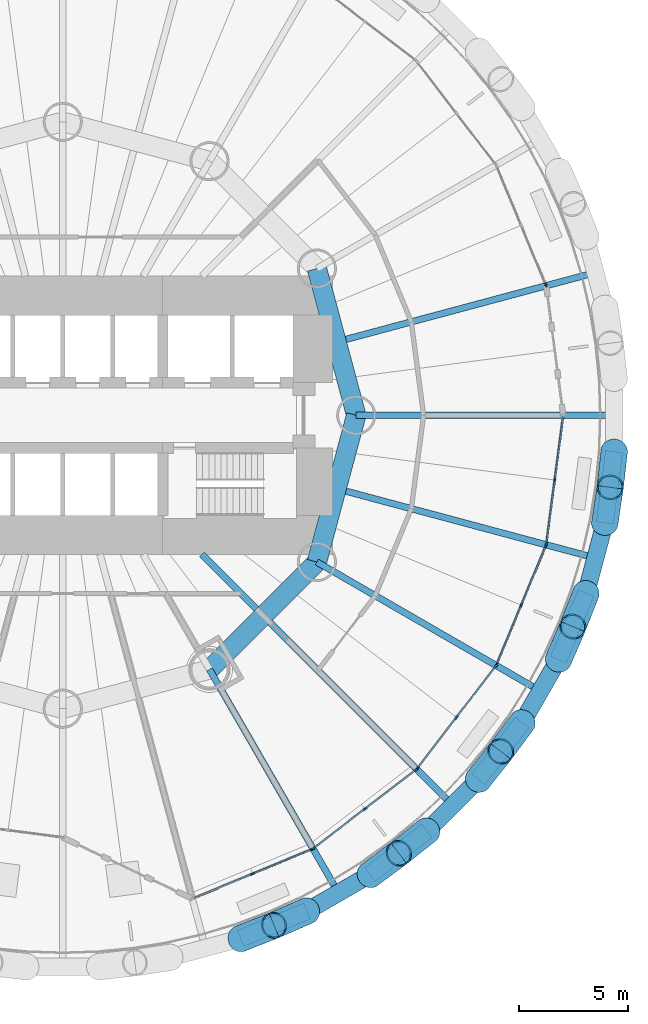
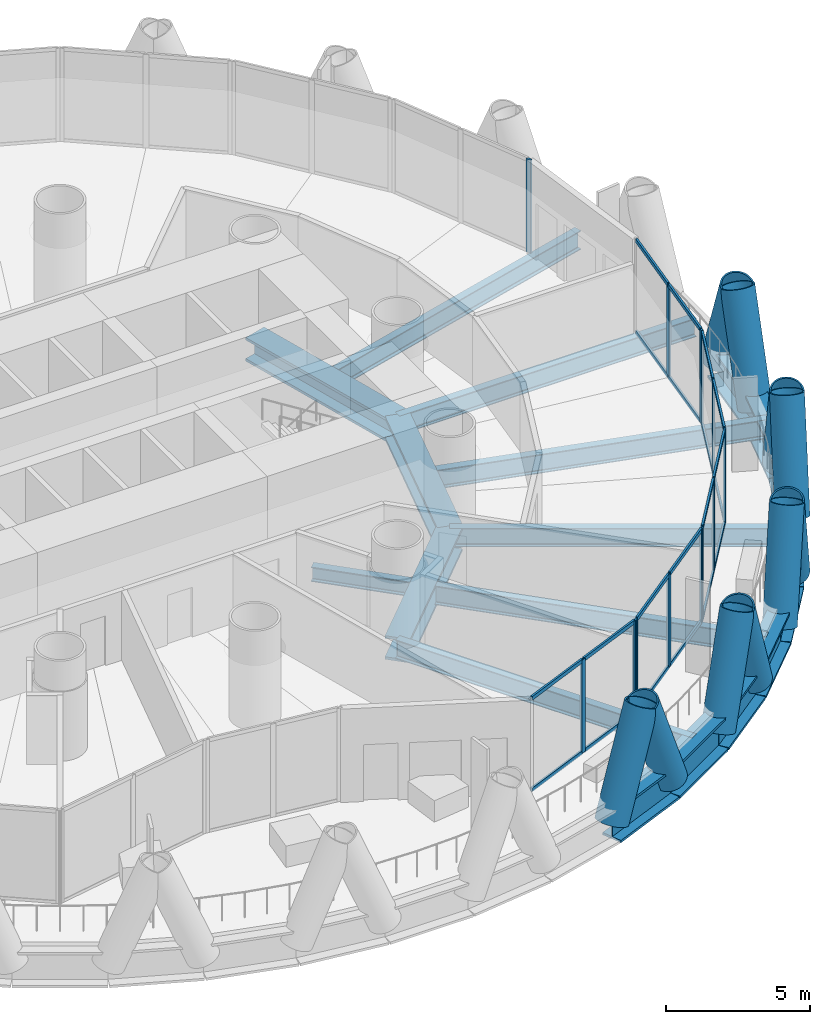
# One storey, part 4 of 15: 44 members, 19 beams, 6 elements without a shape of their own.
"""IFC4 building model written with IfcOpenShell, lengths in metres."""

from ifc_helpers import new_model, si_unit, direction, frame, origin, origin_2d, place, context, subcontext, project, spatial, rectangle, hollow_circle, i_section, extrude, material, material_profile, profile_set, type_object, element, aggregate, save


model = new_model("IFC4")

# Units and contexts
model_context = context("Model", 3, precision=1e-05, world=origin(), true_north=direction((0.0, 1.0)))
body_context = subcontext(model_context, "Body", "Model", "MODEL_VIEW")
ifc_project = project(units=[si_unit("LENGTHUNIT", "METRE"), si_unit("AREAUNIT", "SQUARE_METRE"), si_unit("VOLUMEUNIT", "CUBIC_METRE"), si_unit("PLANEANGLEUNIT", "RADIAN"), si_unit("MASSUNIT", "GRAM", prefix="KILO")], contexts=[model_context])

# Site, building, storey
site_placement = place(None, origin())
site = spatial("IfcSite", under=ifc_project, at=site_placement, CompositionType="ELEMENT")
building_placement = place(site_placement, origin())
building = spatial("IfcBuilding", under=site, at=building_placement, Name="Qaws Media Tower", CompositionType="ELEMENT")
storey_placement = place(building_placement, frame((0.0, 0.0, 97.39990234375)))
storey = spatial("IfcBuildingStorey", under=building, at=storey_placement, Name="L21", CompositionType="ELEMENT", Elevation=97.39990234375)

# Curtain wall, member
ifc_material_1 = material(Name="Aluminium and clear glass", Category="aluminium")
curtain_wall_type = type_object("IfcCurtainWallType", Name="Unitised curtain wall CW-A", PredefinedType="NOTDEFINED", material=ifc_material_1)
curtain_wall_1_placement = place(storey_placement, origin())
curtain_wall_1 = element("IfcCurtainWall", 1, at=curtain_wall_1_placement, inside=storey, type_object=curtain_wall_type, Name="CWA curtain wall L21-02", PredefinedType="NOTDEFINED")
ifc_material_2 = material(Name="Aluminium mullion", Category="aluminium")
ifc_material_profile_1 = material_profile(ifc_material_2, rectangle(XDim=0.080078125, YDim=0.199951171875, at=origin_2d()), Name="80x200")
ifc_profile_set_1 = profile_set([ifc_material_profile_1], Name="Aluminium mullion")
member_type_1 = type_object("IfcMemberType", Name="Curtain wall mullion 80x200", PredefinedType="MULLION", material=ifc_profile_set_1)
member_1_placement = place(storey_placement, frame((82.22509765625, 55.996337890625, 0.0), z_axis=(0.0, 0.0, 1.0), x_axis=(-0.923879534081, -0.382683428576, 0.0)))
member_1 = element("IfcMember", 2, at=member_1_placement, type_object=member_type_1, Name="CWA mullion 1", PredefinedType="MULLION", context=body_context, shape_type="SweptSolid", body=[
    extrude(rectangle(XDim=0.080078125, YDim=0.199951171875, at=origin_2d()), origin(), (0.0, 0.0, 1.0), 3.9501953125),
])
aggregate(curtain_wall_1, [member_1])

# Curtain wall, members
curtain_wall_2_placement = place(storey_placement, origin())
curtain_wall_2 = element("IfcCurtainWall", 3, at=curtain_wall_2_placement, inside=storey, type_object=curtain_wall_type, Name="CWA curtain wall L21-20", PredefinedType="NOTDEFINED")
member_2_placement = place(storey_placement, frame((68.73583984375, 28.90966796875, 0.0), z_axis=(0.0, 0.0, 1.0), x_axis=(-0.382683428576, 0.923879534081, 0.0)))
member_2 = element("IfcMember", 4, at=member_2_placement, type_object=member_type_1, Name="CWA mullion 2", PredefinedType="MULLION", context=body_context, shape_type="SweptSolid", body=[
    extrude(rectangle(XDim=0.080078125, YDim=0.199951171875, at=origin_2d()), origin(), (0.0, 0.0, 1.0), 3.9501953125),
])
member_3_placement = place(storey_placement, frame((71.4755859375, 30.04443359375, 0.0), z_axis=(0.0, 0.0, 1.0), x_axis=(-0.382683428576, 0.923879534081, 0.0)))
member_3 = element("IfcMember", 5, at=member_3_placement, type_object=member_type_1, Name="CWA mullion 3", PredefinedType="MULLION", context=body_context, shape_type="SweptSolid", body=[
    extrude(rectangle(XDim=0.080078125, YDim=0.199951171875, at=origin_2d()), origin(), (0.0, 0.0, 1.0), 3.9501953125),
])

curtain_wall_3_placement = place(storey_placement, origin())
curtain_wall_3 = element("IfcCurtainWall", 6, at=curtain_wall_3_placement, inside=storey, type_object=curtain_wall_type, Name="CWA curtain wall L21-21", PredefinedType="NOTDEFINED")
member_4_placement = place(storey_placement, frame((71.544189453125, 30.084228515625, 0.0), z_axis=(0.0, 0.0, 1.0), x_axis=(-0.608761369953, 0.793353385606, 0.0)))
member_4 = element("IfcMember", 7, at=member_4_placement, type_object=member_type_1, Name="CWA mullion 1", PredefinedType="MULLION", context=body_context, shape_type="SweptSolid", body=[
    extrude(rectangle(XDim=0.080078125, YDim=0.199951171875, at=origin_2d()), origin(), (0.0, 0.0, 1.0), 3.9501953125),
])
member_5_placement = place(storey_placement, frame((73.896728515625, 31.889404296875, 0.0), z_axis=(0.0, 0.0, 1.0), x_axis=(-0.608761369953, 0.793353385606, 0.0)))
member_5 = element("IfcMember", 8, at=member_5_placement, type_object=member_type_1, Name="CWA mullion 2", PredefinedType="MULLION", context=body_context, shape_type="SweptSolid", body=[
    extrude(rectangle(XDim=0.080078125, YDim=0.199951171875, at=origin_2d()), origin(), (0.0, 0.0, 1.0), 3.9501953125),
])
member_6_placement = place(storey_placement, frame((76.24951171875, 33.694580078125, 0.0), z_axis=(0.0, 0.0, 1.0), x_axis=(-0.608761369953, 0.793353385606, 0.0)))
member_6 = element("IfcMember", 9, at=member_6_placement, type_object=member_type_1, Name="CWA mullion 3", PredefinedType="MULLION", context=body_context, shape_type="SweptSolid", body=[
    extrude(rectangle(XDim=0.080078125, YDim=0.199951171875, at=origin_2d()), origin(), (0.0, 0.0, 1.0), 3.9501953125),
])

curtain_wall_4_placement = place(storey_placement, origin())
curtain_wall_4 = element("IfcCurtainWall", 10, at=curtain_wall_4_placement, inside=storey, type_object=curtain_wall_type, Name="CWA curtain wall L21-22", PredefinedType="NOTDEFINED")
member_7_placement = place(storey_placement, frame((76.305419921875, 33.75048828125, 0.0), z_axis=(0.0, 0.0, 1.0), x_axis=(-0.793353385606, 0.608761369953, 0.0)))
member_7 = element("IfcMember", 11, at=member_7_placement, type_object=member_type_1, Name="CWA mullion 1", PredefinedType="MULLION", context=body_context, shape_type="SweptSolid", body=[
    extrude(rectangle(XDim=0.080078125, YDim=0.199951171875, at=origin_2d()), origin(), (0.0, 0.0, 1.0), 3.9501953125),
])
member_8_placement = place(storey_placement, frame((78.110595703125, 36.103271484375, 0.0), z_axis=(0.0, 0.0, 1.0), x_axis=(-0.793353385606, 0.608761369953, 0.0)))
member_8 = element("IfcMember", 12, at=member_8_placement, type_object=member_type_1, Name="CWA mullion 2", PredefinedType="MULLION", context=body_context, shape_type="SweptSolid", body=[
    extrude(rectangle(XDim=0.080078125, YDim=0.199951171875, at=origin_2d()), origin(), (0.0, 0.0, 1.0), 3.9501953125),
])
member_9_placement = place(storey_placement, frame((79.915771484375, 38.455810546875, 0.0), z_axis=(0.0, 0.0, 1.0), x_axis=(-0.793353385606, 0.608761369953, 0.0)))
member_9 = element("IfcMember", 13, at=member_9_placement, type_object=member_type_1, Name="CWA mullion 3", PredefinedType="MULLION", context=body_context, shape_type="SweptSolid", body=[
    extrude(rectangle(XDim=0.080078125, YDim=0.199951171875, at=origin_2d()), origin(), (0.0, 0.0, 1.0), 3.9501953125),
])

curtain_wall_5_placement = place(storey_placement, origin())
curtain_wall_5 = element("IfcCurtainWall", 14, at=curtain_wall_5_placement, inside=storey, type_object=curtain_wall_type, Name="CWA curtain wall L21-23", PredefinedType="NOTDEFINED")
member_10_placement = place(storey_placement, frame((79.95556640625, 38.5244140625, 0.0), z_axis=(0.0, 0.0, 1.0), x_axis=(-0.923879534081, 0.382683428576, 0.0)))
member_10 = element("IfcMember", 15, at=member_10_placement, type_object=member_type_1, Name="CWA mullion 1", PredefinedType="MULLION", context=body_context, shape_type="SweptSolid", body=[
    extrude(rectangle(XDim=0.080078125, YDim=0.199951171875, at=origin_2d()), origin(), (0.0, 0.0, 1.0), 3.9501953125),
])
member_11_placement = place(storey_placement, frame((81.09033203125, 41.26416015625, 0.0), z_axis=(0.0, 0.0, 1.0), x_axis=(-0.923879534081, 0.382683428576, 0.0)))
member_11 = element("IfcMember", 16, at=member_11_placement, type_object=member_type_1, Name="CWA mullion 2", PredefinedType="MULLION", context=body_context, shape_type="SweptSolid", body=[
    extrude(rectangle(XDim=0.080078125, YDim=0.199951171875, at=origin_2d()), origin(), (0.0, 0.0, 1.0), 3.9501953125),
])
member_12_placement = place(storey_placement, frame((82.22509765625, 44.003662109375, 0.0), z_axis=(0.0, 0.0, 1.0), x_axis=(-0.923879534081, 0.382683428576, 0.0)))
member_12 = element("IfcMember", 17, at=member_12_placement, type_object=member_type_1, Name="CWA mullion 3", PredefinedType="MULLION", context=body_context, shape_type="SweptSolid", body=[
    extrude(rectangle(XDim=0.080078125, YDim=0.199951171875, at=origin_2d()), origin(), (0.0, 0.0, 1.0), 3.9501953125),
])

curtain_wall_6_placement = place(storey_placement, origin())
curtain_wall_6 = element("IfcCurtainWall", 18, at=curtain_wall_6_placement, inside=storey, type_object=curtain_wall_type, Name="CWA curtain wall L21-24", PredefinedType="NOTDEFINED")
member_13_placement = place(storey_placement, frame((82.24560546875, 44.080322265625, 0.0), z_axis=(0.0, 0.0, 1.0), x_axis=(-0.991444859517, 0.130526206323, 0.0)))
member_13 = element("IfcMember", 19, at=member_13_placement, type_object=member_type_1, Name="CWA mullion 1", PredefinedType="MULLION", context=body_context, shape_type="SweptSolid", body=[
    extrude(rectangle(XDim=0.080078125, YDim=0.199951171875, at=origin_2d()), origin(), (0.0, 0.0, 1.0), 3.9501953125),
])
member_14_placement = place(storey_placement, frame((82.6328125, 47.020263671875, 0.0), z_axis=(0.0, 0.0, 1.0), x_axis=(-0.991444859517, 0.130526206323, 0.0)))
member_14 = element("IfcMember", 20, at=member_14_placement, type_object=member_type_1, Name="CWA mullion 2", PredefinedType="MULLION", context=body_context, shape_type="SweptSolid", body=[
    extrude(rectangle(XDim=0.080078125, YDim=0.199951171875, at=origin_2d()), origin(), (0.0, 0.0, 1.0), 3.9501953125),
])

# Member
ifc_material_3 = material(Name="Aluminium transom", Category="aluminium")
ifc_material_profile_2 = material_profile(ifc_material_3, rectangle(XDim=0.080078125, YDim=0.159912109375, at=origin_2d()), Name="80x160")
ifc_profile_set_2 = profile_set([ifc_material_profile_2], Name="Aluminium transom")
member_type_2 = type_object("IfcMemberType", Name="Curtain wall transom 80x160", PredefinedType="USERDEFINED", material=ifc_profile_set_2)
member_15_placement = place(storey_placement, frame((66.033203125, 27.790283203125, 0.0400390625), z_axis=(0.923903400053, 0.382625805938, 0.0), x_axis=(-0.382625805938, 0.923903400053, 0.0)))
member_15 = element("IfcMember", 21, at=member_15_placement, type_object=member_type_2, Name="CWA transom 1.1", ObjectType="TRANSOM", PredefinedType="USERDEFINED", context=body_context, shape_type="SweptSolid", body=[
    extrude(rectangle(XDim=0.080078125, YDim=0.159912109375, at=origin_2d()), origin(), (0.0, 0.0, 1.0), 2.88525390625),
])

member_16_placement = place(storey_placement, frame((66.033203125, 27.790283203125, 3.91015625), z_axis=(0.923903400053, 0.382625805938, 0.0), x_axis=(-0.382625805938, 0.923903400053, 0.0)))
member_16 = element("IfcMember", 22, at=member_16_placement, type_object=member_type_2, Name="CWA transom 1.2", ObjectType="TRANSOM", PredefinedType="USERDEFINED", context=body_context, shape_type="SweptSolid", body=[
    extrude(rectangle(XDim=0.080078125, YDim=0.159912109375, at=origin_2d()), origin(), (0.0, 0.0, 1.0), 2.88525390625),
])

member_17_placement = place(storey_placement, frame((68.77294921875, 28.925048828125, 0.0400390625), z_axis=(0.923891010857, 0.382655720012, 0.0), x_axis=(-0.382655720012, 0.923891010857, 0.0)))
member_17 = element("IfcMember", 23, at=member_17_placement, type_object=member_type_2, Name="CWA transom 2.1", ObjectType="TRANSOM", PredefinedType="USERDEFINED", context=body_context, shape_type="SweptSolid", body=[
    extrude(rectangle(XDim=0.080078125, YDim=0.159912109375, at=origin_2d()), origin(), (0.0, 0.0, 1.0), 2.885009765625),
])

member_18_placement = place(storey_placement, frame((68.77294921875, 28.925048828125, 3.91015625), z_axis=(0.923891010857, 0.382655720012, 0.0), x_axis=(-0.382655720012, 0.923891010857, 0.0)))
member_18 = element("IfcMember", 24, at=member_18_placement, type_object=member_type_2, Name="CWA transom 2.2", ObjectType="TRANSOM", PredefinedType="USERDEFINED", context=body_context, shape_type="SweptSolid", body=[
    extrude(rectangle(XDim=0.080078125, YDim=0.159912109375, at=origin_2d()), origin(), (0.0, 0.0, 1.0), 2.885009765625),
])

aggregate(curtain_wall_2, [member_2, member_3, member_15, member_16, member_17, member_18])

member_19_placement = place(storey_placement, frame((71.575927734375, 30.1083984375, 0.0400390625), z_axis=(0.793331184409, 0.608790302029, 0.0), x_axis=(-0.608790302029, 0.793331184409, 0.0)))
member_19 = element("IfcMember", 25, at=member_19_placement, type_object=member_type_2, Name="CWA transom 1.1", ObjectType="TRANSOM", PredefinedType="USERDEFINED", context=body_context, shape_type="SweptSolid", body=[
    extrude(rectangle(XDim=0.080078125, YDim=0.159912109375, at=origin_2d()), origin(), (0.0, 0.0, 1.0), 2.885498046875),
])

member_20_placement = place(storey_placement, frame((71.575927734375, 30.1083984375, 3.91015625), z_axis=(0.793331184409, 0.608790302029, 0.0), x_axis=(-0.608790302029, 0.793331184409, 0.0)))
member_20 = element("IfcMember", 26, at=member_20_placement, type_object=member_type_2, Name="CWA transom 1.2", ObjectType="TRANSOM", PredefinedType="USERDEFINED", context=body_context, shape_type="SweptSolid", body=[
    extrude(rectangle(XDim=0.080078125, YDim=0.159912109375, at=origin_2d()), origin(), (0.0, 0.0, 1.0), 2.885498046875),
])

member_21_placement = place(storey_placement, frame((73.928466796875, 31.91357421875, 0.0400390625), z_axis=(0.793362540986, 0.608749438242, 0.0), x_axis=(-0.608749438242, 0.793362540986, 0.0)))
member_21 = element("IfcMember", 27, at=member_21_placement, type_object=member_type_2, Name="CWA transom 2.1", ObjectType="TRANSOM", PredefinedType="USERDEFINED", context=body_context, shape_type="SweptSolid", body=[
    extrude(rectangle(XDim=0.080078125, YDim=0.159912109375, at=origin_2d()), origin(), (0.0, 0.0, 1.0), 2.885498046875),
])

member_22_placement = place(storey_placement, frame((73.928466796875, 31.91357421875, 3.91015625), z_axis=(0.793362540986, 0.608749438242, 0.0), x_axis=(-0.608749438242, 0.793362540986, 0.0)))
member_22 = element("IfcMember", 28, at=member_22_placement, type_object=member_type_2, Name="CWA transom 2.2", ObjectType="TRANSOM", PredefinedType="USERDEFINED", context=body_context, shape_type="SweptSolid", body=[
    extrude(rectangle(XDim=0.080078125, YDim=0.159912109375, at=origin_2d()), origin(), (0.0, 0.0, 1.0), 2.885498046875),
])

aggregate(curtain_wall_3, [member_4, member_5, member_6, member_19, member_20, member_21, member_22])

member_23_placement = place(storey_placement, frame((76.329833984375, 33.7822265625, 0.0400390625), z_axis=(0.608749438242, 0.793362540986, 0.0), x_axis=(-0.793362540986, 0.608749438242, 0.0)))
member_23 = element("IfcMember", 29, at=member_23_placement, type_object=member_type_2, Name="CWA transom 1.1", ObjectType="TRANSOM", PredefinedType="USERDEFINED", context=body_context, shape_type="SweptSolid", body=[
    extrude(rectangle(XDim=0.080078125, YDim=0.159912109375, at=origin_2d()), origin(), (0.0, 0.0, 1.0), 2.885498046875),
])

member_24_placement = place(storey_placement, frame((76.329833984375, 33.7822265625, 3.91015625), z_axis=(0.608749438242, 0.793362540986, 0.0), x_axis=(-0.793362540986, 0.608749438242, 0.0)))
member_24 = element("IfcMember", 30, at=member_24_placement, type_object=member_type_2, Name="CWA transom 1.2", ObjectType="TRANSOM", PredefinedType="USERDEFINED", context=body_context, shape_type="SweptSolid", body=[
    extrude(rectangle(XDim=0.080078125, YDim=0.159912109375, at=origin_2d()), origin(), (0.0, 0.0, 1.0), 2.885498046875),
])

member_25_placement = place(storey_placement, frame((78.135009765625, 36.135009765625, 0.0400390625), z_axis=(0.608790302029, 0.793331184409, 0.0), x_axis=(-0.793331184409, 0.608790302029, 0.0)))
member_25 = element("IfcMember", 31, at=member_25_placement, type_object=member_type_2, Name="CWA transom 2.1", ObjectType="TRANSOM", PredefinedType="USERDEFINED", context=body_context, shape_type="SweptSolid", body=[
    extrude(rectangle(XDim=0.080078125, YDim=0.159912109375, at=origin_2d()), origin(), (0.0, 0.0, 1.0), 2.885498046875),
])

member_26_placement = place(storey_placement, frame((78.135009765625, 36.135009765625, 3.91015625), z_axis=(0.608790302029, 0.793331184409, 0.0), x_axis=(-0.793331184409, 0.608790302029, 0.0)))
member_26 = element("IfcMember", 32, at=member_26_placement, type_object=member_type_2, Name="CWA transom 2.2", ObjectType="TRANSOM", PredefinedType="USERDEFINED", context=body_context, shape_type="SweptSolid", body=[
    extrude(rectangle(XDim=0.080078125, YDim=0.159912109375, at=origin_2d()), origin(), (0.0, 0.0, 1.0), 2.885498046875),
])

aggregate(curtain_wall_4, [member_7, member_8, member_9, member_23, member_24, member_25, member_26])

member_27_placement = place(storey_placement, frame((79.970947265625, 38.5615234375, 0.0400390625), z_axis=(0.382655720012, 0.923891010857, 0.0), x_axis=(-0.923891010857, 0.382655720012, 0.0)))
member_27 = element("IfcMember", 33, at=member_27_placement, type_object=member_type_2, Name="CWA transom 1.1", ObjectType="TRANSOM", PredefinedType="USERDEFINED", context=body_context, shape_type="SweptSolid", body=[
    extrude(rectangle(XDim=0.080078125, YDim=0.159912109375, at=origin_2d()), origin(), (0.0, 0.0, 1.0), 2.885009765625),
])

member_28_placement = place(storey_placement, frame((79.970947265625, 38.5615234375, 3.91015625), z_axis=(0.382655720012, 0.923891010857, 0.0), x_axis=(-0.923891010857, 0.382655720012, 0.0)))
member_28 = element("IfcMember", 34, at=member_28_placement, type_object=member_type_2, Name="CWA transom 1.2", ObjectType="TRANSOM", PredefinedType="USERDEFINED", context=body_context, shape_type="SweptSolid", body=[
    extrude(rectangle(XDim=0.080078125, YDim=0.159912109375, at=origin_2d()), origin(), (0.0, 0.0, 1.0), 2.885009765625),
])

member_29_placement = place(storey_placement, frame((81.105712890625, 41.301025390625, 0.0400390625), z_axis=(0.382625805938, 0.923903400053, 0.0), x_axis=(-0.923903400053, 0.382625805938, 0.0)))
member_29 = element("IfcMember", 35, at=member_29_placement, type_object=member_type_2, Name="CWA transom 2.1", ObjectType="TRANSOM", PredefinedType="USERDEFINED", context=body_context, shape_type="SweptSolid", body=[
    extrude(rectangle(XDim=0.080078125, YDim=0.159912109375, at=origin_2d()), origin(), (0.0, 0.0, 1.0), 2.88525390625),
])

member_30_placement = place(storey_placement, frame((81.105712890625, 41.301025390625, 3.91015625), z_axis=(0.382625805938, 0.923903400053, 0.0), x_axis=(-0.923903400053, 0.382625805938, 0.0)))
member_30 = element("IfcMember", 36, at=member_30_placement, type_object=member_type_2, Name="CWA transom 2.2", ObjectType="TRANSOM", PredefinedType="USERDEFINED", context=body_context, shape_type="SweptSolid", body=[
    extrude(rectangle(XDim=0.080078125, YDim=0.159912109375, at=origin_2d()), origin(), (0.0, 0.0, 1.0), 2.88525390625),
])

aggregate(curtain_wall_5, [member_10, member_11, member_12, member_27, member_28, member_29, member_30])

member_31_placement = place(storey_placement, frame((82.2509765625, 44.1201171875, 0.0400390625), z_axis=(0.130478589921, 0.991451127173, 0.0), x_axis=(-0.991451127173, 0.130478589921, 0.0)))
member_31 = element("IfcMember", 37, at=member_31_placement, type_object=member_type_2, Name="CWA transom 1.1", ObjectType="TRANSOM", PredefinedType="USERDEFINED", context=body_context, shape_type="SweptSolid", body=[
    extrude(rectangle(XDim=0.080078125, YDim=0.159912109375, at=origin_2d()), origin(), (0.0, 0.0, 1.0), 2.88525390625),
])

member_32_placement = place(storey_placement, frame((82.2509765625, 44.1201171875, 3.91015625), z_axis=(0.130478589921, 0.991451127173, 0.0), x_axis=(-0.991451127173, 0.130478589921, 0.0)))
member_32 = element("IfcMember", 38, at=member_32_placement, type_object=member_type_2, Name="CWA transom 1.2", ObjectType="TRANSOM", PredefinedType="USERDEFINED", context=body_context, shape_type="SweptSolid", body=[
    extrude(rectangle(XDim=0.080078125, YDim=0.159912109375, at=origin_2d()), origin(), (0.0, 0.0, 1.0), 2.88525390625),
])

member_33_placement = place(storey_placement, frame((82.637939453125, 47.06005859375, 0.0400390625), z_axis=(0.130561764442, 0.991440177553, 0.0), x_axis=(-0.991440177553, 0.130561764442, 0.0)))
member_33 = element("IfcMember", 39, at=member_33_placement, type_object=member_type_2, Name="CWA transom 2.1", ObjectType="TRANSOM", PredefinedType="USERDEFINED", context=body_context, shape_type="SweptSolid", body=[
    extrude(rectangle(XDim=0.080078125, YDim=0.159912109375, at=origin_2d()), origin(), (0.0, 0.0, 1.0), 2.88525390625),
])

member_34_placement = place(storey_placement, frame((82.637939453125, 47.06005859375, 3.91015625), z_axis=(0.130561764442, 0.991440177553, 0.0), x_axis=(-0.991440177553, 0.130561764442, 0.0)))
member_34 = element("IfcMember", 40, at=member_34_placement, type_object=member_type_2, Name="CWA transom 2.2", ObjectType="TRANSOM", PredefinedType="USERDEFINED", context=body_context, shape_type="SweptSolid", body=[
    extrude(rectangle(XDim=0.080078125, YDim=0.159912109375, at=origin_2d()), origin(), (0.0, 0.0, 1.0), 2.88525390625),
])

aggregate(curtain_wall_6, [member_13, member_14, member_31, member_32, member_33, member_34])

# Members
ifc_material_4 = material(Name="Steel S460", Category="steel")
ifc_material_profile_3 = material_profile(ifc_material_4, hollow_circle(Radius=0.609619140625, WallThickness=0.06005859375, at=origin_2d()), Name="CHS 1219x60")
ifc_profile_set_3 = profile_set([ifc_material_profile_3], Name="Steel S460")
member_type_3 = type_object("IfcMemberType", Name="Diagrid member CHS 1219x60", PredefinedType="USERDEFINED", material=ifc_profile_set_3)
for number, where, z_axis, x_axis, name in (
    (41, (85.37060546875, 48.337158203125, -0.909912109375), (-0.042398060104, -0.372717492007, 0.926975768643), (0.993592148924, -0.113024960064, 0.0), "DG1 diagrid L21 B01"),
    (42, (68.172607421875, 25.92431640625, -0.909912109375), (0.349042936435, 0.137381625873, 0.926981832291), (-0.366247253344, 0.93051757072, 0.0), "DG1 diagrid L21 A20"),
    (43, (74.12548828125, 28.85986328125, -0.909912109375), (0.301578739488, 0.223059242955, 0.926981573723), (-0.594655183188, 0.803980853695, 0.0), "DG1 diagrid L21 A21"),
    (44, (71.2451171875, 27.197021484375, -0.909912109375), (-0.343926220304, -0.149662418634, 0.926992942495), (0.399015967171, -0.916943977538, 0.0), "DG1 diagrid L21 B21"),
    (45, (79.115478515625, 33.236083984375, -0.909912109375), (0.233577882424, 0.293486589655, 0.926988130741), (-0.782441736387, 0.622723798453, 0.0), "DG1 diagrid L21 A22"),
    (46, (76.763916015625, 30.884521484375, -0.909912109375), (-0.293486589655, -0.233577882424, 0.926988130741), (0.622723798453, -0.782441736387, 0.0), "DG1 diagrid L21 B22"),
    (47, (82.802978515625, 38.7548828125, -0.909912109375), (0.149662418634, 0.343926220304, 0.926992942495), (-0.916943977538, 0.399015967171, 0.0), "DG1 diagrid L21 A23"),
    (48, (81.14013671875, 35.87451171875, -0.909912109375), (-0.223059242955, -0.301578739488, 0.926981573723), (0.803980853695, -0.594655183188, 0.0), "DG1 diagrid L21 B23"),
    (49, (84.9365234375, 45.039794921875, -0.909912109375), (0.055503674666, 0.370960571653, 0.926988455363), (-0.988991200484, 0.147974340224, 0.0), "DG1 diagrid L21 A24"),
    (50, (84.07568359375, 41.827392578125, -0.909912109375), (-0.137381625873, -0.349042936435, 0.926981832291), (0.93051757072, -0.366247253344, 0.0), "DG1 diagrid L21 B24"),
):
    element("IfcMember", number, at=place(storey_placement, frame(where, z_axis=z_axis, x_axis=x_axis)), inside=storey, type_object=member_type_3, Name=name, ObjectType="DIAGRID", PredefinedType="USERDEFINED", context=body_context, shape_type="SweptSolid", body=[
        extrude(hollow_circle(Radius=0.609619140625, WallThickness=0.06005859375, at=origin_2d()), origin(), (0.0, 0.0, 1.0), 4.433837890625),
    ])

# Beams
ifc_material_5 = material(Name="Steel S460", Category="steel")
ifc_material_profile_4 = material_profile(ifc_material_5, i_section(OverallWidth=0.800048828125, OverallDepth=1.5, WebThickness=0.0400390625, FlangeThickness=0.10009765625, at=origin_2d()), Name="PG 1500x800")
ifc_profile_set_4 = profile_set([ifc_material_profile_4], Name="Steel S460")
beam_type_1 = type_object("IfcBeamType", Name="Edge ring beam PG 1500x800", PredefinedType="BEAM", material=ifc_profile_set_4)
beam_1_placement = place(storey_placement, frame((68.172607421875, 25.92431640625, -0.909912109375), z_axis=(0.923876357767, 0.382691096785, 0.0), x_axis=(-0.382691096785, 0.923876357767, 0.0)))
element("IfcBeam", 51, at=beam_1_placement, inside=storey, type_object=beam_type_1, Name="RB7 edge ring beam L21-39", PredefinedType="BEAM", context=body_context, shape_type="SweptSolid", body=[
    extrude(i_section(OverallWidth=0.800048828125, OverallDepth=1.5, WebThickness=0.0400390625, FlangeThickness=0.10009765625, at=origin_2d()), origin(), (0.0, 0.0, 1.0), 3.32568359375),
])
beam_2_placement = place(storey_placement, frame((71.2451171875, 27.197021484375, -0.909912109375), z_axis=(0.866043790474, 0.499968151968, 0.0), x_axis=(-0.499968151968, 0.866043790474, 0.0)))
element("IfcBeam", 52, at=beam_2_placement, inside=storey, type_object=beam_type_1, Name="RB7 edge ring beam L21-40", PredefinedType="BEAM", context=body_context, shape_type="SweptSolid", body=[
    extrude(i_section(OverallWidth=0.800048828125, OverallDepth=1.5, WebThickness=0.0400390625, FlangeThickness=0.10009765625, at=origin_2d()), origin(), (0.0, 0.0, 1.0), 3.325927734375),
])
for number, where, z_axis, x_axis, name in (
    (53, (74.12548828125, 28.85986328125, -0.909912109375), (0.793335710763, 0.608784403568, 0.0), (-0.608784403568, 0.793335710763, 0.0), "RB7 edge ring beam L21-41"),
    (54, (76.763916015625, 30.884521484375, -0.909912109375), (0.707106781187, 0.707106781187, 0.0), (-0.707106781187, 0.707106781187, 0.0), "RB7 edge ring beam L21-42"),
    (55, (79.115478515625, 33.236083984375, -0.909912109375), (0.608784403568, 0.793335710763, 0.0), (-0.793335710763, 0.608784403568, 0.0), "RB7 edge ring beam L21-43"),
):
    element("IfcBeam", number, at=place(storey_placement, frame(where, z_axis=z_axis, x_axis=x_axis)), inside=storey, type_object=beam_type_1, Name=name, PredefinedType="BEAM", context=body_context, shape_type="SweptSolid", body=[
        extrude(i_section(OverallWidth=0.800048828125, OverallDepth=1.5, WebThickness=0.0400390625, FlangeThickness=0.10009765625, at=origin_2d()), origin(), (0.0, 0.0, 1.0), 3.32568359375),
    ])
beam_3_placement = place(storey_placement, frame((81.14013671875, 35.87451171875, -0.909912109375), z_axis=(0.499968151968, 0.866043790474, 0.0), x_axis=(-0.866043790474, 0.499968151968, 0.0)))
element("IfcBeam", 56, at=beam_3_placement, inside=storey, type_object=beam_type_1, Name="RB7 edge ring beam L21-44", PredefinedType="BEAM", context=body_context, shape_type="SweptSolid", body=[
    extrude(i_section(OverallWidth=0.800048828125, OverallDepth=1.5, WebThickness=0.0400390625, FlangeThickness=0.10009765625, at=origin_2d()), origin(), (0.0, 0.0, 1.0), 3.325927734375),
])
for number, where, z_axis, x_axis, name in (
    (57, (82.802978515625, 38.7548828125, -0.909912109375), (0.382691096785, 0.923876357767, 0.0), (-0.923876357767, 0.382691096785, 0.0), "RB7 edge ring beam L21-45"),
    (58, (84.07568359375, 41.827392578125, -0.909912109375), (0.258841272413, 0.965919870225, 0.0), (-0.965919870225, 0.258841272413, 0.0), "RB7 edge ring beam L21-46"),
):
    element("IfcBeam", number, at=place(storey_placement, frame(where, z_axis=z_axis, x_axis=x_axis)), inside=storey, type_object=beam_type_1, Name=name, PredefinedType="BEAM", context=body_context, shape_type="SweptSolid", body=[
        extrude(i_section(OverallWidth=0.800048828125, OverallDepth=1.5, WebThickness=0.0400390625, FlangeThickness=0.10009765625, at=origin_2d()), origin(), (0.0, 0.0, 1.0), 3.32568359375),
    ])
beam_4_placement = place(storey_placement, frame((84.9365234375, 45.039794921875, -0.909912109375), z_axis=(0.130519075183, 0.991445798324, 0.0), x_axis=(-0.991445798324, 0.130519075183, 0.0)))
element("IfcBeam", 59, at=beam_4_placement, inside=storey, type_object=beam_type_1, Name="RB7 edge ring beam L21-47", PredefinedType="BEAM", context=body_context, shape_type="SweptSolid", body=[
    extrude(i_section(OverallWidth=0.800048828125, OverallDepth=1.5, WebThickness=0.0400390625, FlangeThickness=0.10009765625, at=origin_2d()), origin(), (0.0, 0.0, 1.0), 3.325927734375),
])
ifc_material_6 = material(Name="Steel S460", Category="steel")
ifc_material_profile_5 = material_profile(ifc_material_6, i_section(OverallWidth=0.89990234375, OverallDepth=1.0, WebThickness=0.044921875, FlangeThickness=0.110107421875, at=origin_2d()), Name="PG 1000x900")
ifc_profile_set_5 = profile_set([ifc_material_profile_5], Name="Steel S460")
beam_type_2 = type_object("IfcBeamType", Name="Inner ring girder PG 1000x900", PredefinedType="BEAM", material=ifc_profile_set_5)
beam_5_placement = place(storey_placement, frame((73.5, 50.0, -0.659912109375), z_axis=(-0.258810593767, 0.965928090778, 0.0), x_axis=(-0.965928090778, -0.258810593767, 0.0)))
element("IfcBeam", 60, at=beam_5_placement, inside=storey, type_object=beam_type_2, Name="B3 inner ring beam L21 I01-I02", PredefinedType="BEAM", context=body_context, shape_type="SweptSolid", body=[
    extrude(i_section(OverallWidth=0.89990234375, OverallDepth=1.0, WebThickness=0.044921875, FlangeThickness=0.110107421875, at=origin_2d()), origin(), (0.0, 0.0, 1.0), 6.988037109375),
])
beam_6_placement = place(storey_placement, frame((66.75, 38.30859375, -0.659912109375), z_axis=(0.707106781187, 0.707106781187, 0.0), x_axis=(-0.707106781187, 0.707106781187, 0.0)))
element("IfcBeam", 61, at=beam_6_placement, inside=storey, type_object=beam_type_2, Name="B3 inner ring beam L21 I11-I12", PredefinedType="BEAM", context=body_context, shape_type="SweptSolid", body=[
    extrude(i_section(OverallWidth=0.89990234375, OverallDepth=1.0, WebThickness=0.044921875, FlangeThickness=0.110107421875, at=origin_2d()), origin(), (0.0, 0.0, 1.0), 6.98828125),
])
beam_7_placement = place(storey_placement, frame((71.69140625, 43.25, -0.659912109375), z_axis=(0.258810593767, 0.965928090778, 0.0), x_axis=(-0.965928090778, 0.258810593767, 0.0)))
element("IfcBeam", 62, at=beam_7_placement, inside=storey, type_object=beam_type_2, Name="B3 inner ring beam L21 I12-I01", PredefinedType="BEAM", context=body_context, shape_type="SweptSolid", body=[
    extrude(i_section(OverallWidth=0.89990234375, OverallDepth=1.0, WebThickness=0.044921875, FlangeThickness=0.110107421875, at=origin_2d()), origin(), (0.0, 0.0, 1.0), 6.988037109375),
])
ifc_material_7 = material(Name="Steel S355", Category="steel")
ifc_material_profile_6 = material_profile(ifc_material_7, i_section(OverallWidth=0.304931640625, OverallDepth=0.6201171875, WebThickness=0.02099609375, FlangeThickness=0.0400390625, FilletRadius=0.027099609375, at=origin_2d()), Name="HE 600 M")
ifc_profile_set_6 = profile_set([ifc_material_profile_6], Name="Steel S355")
beam_type_3 = type_object("IfcBeamType", Name="Radial beam HE 600 M, core side", PredefinedType="BEAM", material=ifc_profile_set_6)
beam_8_placement = place(storey_placement, frame((66.39990234375, 43.60009765625, -0.469970703125), z_axis=(0.707106781187, -0.707106781187, 0.0), x_axis=(0.707106781187, 0.707106781187, 0.0)))
element("IfcBeam", 63, at=beam_8_placement, inside=storey, type_object=beam_type_3, Name="B2 radial beam L21 22", PredefinedType="BEAM", context=body_context, shape_type="SweptSolid", body=[
    extrude(i_section(OverallWidth=0.304931640625, OverallDepth=0.6201171875, WebThickness=0.02099609375, FlangeThickness=0.0400390625, FilletRadius=0.027099609375, at=origin_2d()), origin(), (0.0, 0.0, 1.0), 3.539306640625),
])
ifc_material_8 = material(Name="Steel S355", Category="steel")
ifc_material_profile_7 = material_profile(ifc_material_8, i_section(OverallWidth=0.300048828125, OverallDepth=0.800048828125, WebThickness=0.017578125, FlangeThickness=0.032958984375, FilletRadius=0.030029296875, at=origin_2d()), Name="HE 800 B")
ifc_profile_set_7 = profile_set([ifc_material_profile_7], Name="Steel S355")
beam_type_4 = type_object("IfcBeamType", Name="Radial beam HE 800 B", PredefinedType="BEAM", material=ifc_profile_set_7)
beam_9_placement = place(storey_placement, frame((73.5, 50.0, -0.559814453125), z_axis=(1.0, 0.0, 0.0), x_axis=(0.0, 1.0, 0.0)))
element("IfcBeam", 64, at=beam_9_placement, inside=storey, type_object=beam_type_4, Name="B1 radial beam L21 01", PredefinedType="BEAM", context=body_context, shape_type="SweptSolid", body=[
    extrude(i_section(OverallWidth=0.300048828125, OverallDepth=0.800048828125, WebThickness=0.017578125, FlangeThickness=0.032958984375, FilletRadius=0.030029296875, at=origin_2d()), origin(), (0.0, 0.0, 1.0), 11.87060546875),
])
beam_10_placement = place(storey_placement, frame((73.0302734375, 53.491455078125, -0.559814453125), z_axis=(0.965925578618, 0.258819969422, 0.0), x_axis=(-0.258819969422, 0.965925578618, 0.0)))
element("IfcBeam", 65, at=beam_10_placement, inside=storey, type_object=beam_type_4, Name="B1 radial beam L21 02", PredefinedType="BEAM", context=body_context, shape_type="SweptSolid", body=[
    extrude(i_section(OverallWidth=0.300048828125, OverallDepth=0.800048828125, WebThickness=0.017578125, FlangeThickness=0.032958984375, FilletRadius=0.030029296875, at=origin_2d()), origin(), (0.0, 0.0, 1.0), 11.880615234375),
])
beam_11_placement = place(storey_placement, frame((66.75, 38.30859375, -0.559814453125), z_axis=(0.500007901084, -0.866020842044, 0.0), x_axis=(0.866020842044, 0.500007901084, 0.0)))
element("IfcBeam", 66, at=beam_11_placement, inside=storey, type_object=beam_type_4, Name="B1 radial beam L21 21", PredefinedType="BEAM", context=body_context, shape_type="SweptSolid", body=[
    extrude(i_section(OverallWidth=0.300048828125, OverallDepth=0.800048828125, WebThickness=0.017578125, FlangeThickness=0.032958984375, FilletRadius=0.030029296875, at=origin_2d()), origin(), (0.0, 0.0, 1.0), 11.870361328125),
])
beam_12_placement = place(storey_placement, frame((69.538818359375, 40.461181640625, -0.559814453125), z_axis=(0.707106781187, -0.707106781187, 0.0), x_axis=(0.707106781187, 0.707106781187, 0.0)))
element("IfcBeam", 67, at=beam_12_placement, inside=storey, type_object=beam_type_4, Name="B1 radial beam L21 22", PredefinedType="BEAM", context=body_context, shape_type="SweptSolid", body=[
    extrude(i_section(OverallWidth=0.300048828125, OverallDepth=0.800048828125, WebThickness=0.017578125, FlangeThickness=0.032958984375, FilletRadius=0.030029296875, at=origin_2d()), origin(), (0.0, 0.0, 1.0), 11.880615234375),
])
beam_13_placement = place(storey_placement, frame((71.69140625, 43.25, -0.559814453125), z_axis=(0.866020842044, -0.500007901084, 0.0), x_axis=(0.500007901084, 0.866020842044, 0.0)))
element("IfcBeam", 68, at=beam_13_placement, inside=storey, type_object=beam_type_4, Name="B1 radial beam L21 23", PredefinedType="BEAM", context=body_context, shape_type="SweptSolid", body=[
    extrude(i_section(OverallWidth=0.300048828125, OverallDepth=0.800048828125, WebThickness=0.017578125, FlangeThickness=0.032958984375, FilletRadius=0.030029296875, at=origin_2d()), origin(), (0.0, 0.0, 1.0), 11.870361328125),
])
beam_14_placement = place(storey_placement, frame((73.0302734375, 46.508544921875, -0.559814453125), z_axis=(0.965925578618, -0.258819969422, 0.0), x_axis=(0.258819969422, 0.965925578618, 0.0)))
element("IfcBeam", 69, at=beam_14_placement, inside=storey, type_object=beam_type_4, Name="B1 radial beam L21 24", PredefinedType="BEAM", context=body_context, shape_type="SweptSolid", body=[
    extrude(i_section(OverallWidth=0.300048828125, OverallDepth=0.800048828125, WebThickness=0.017578125, FlangeThickness=0.032958984375, FilletRadius=0.030029296875, at=origin_2d()), origin(), (0.0, 0.0, 1.0), 11.880615234375),
])

save(model, "model.ifc")
